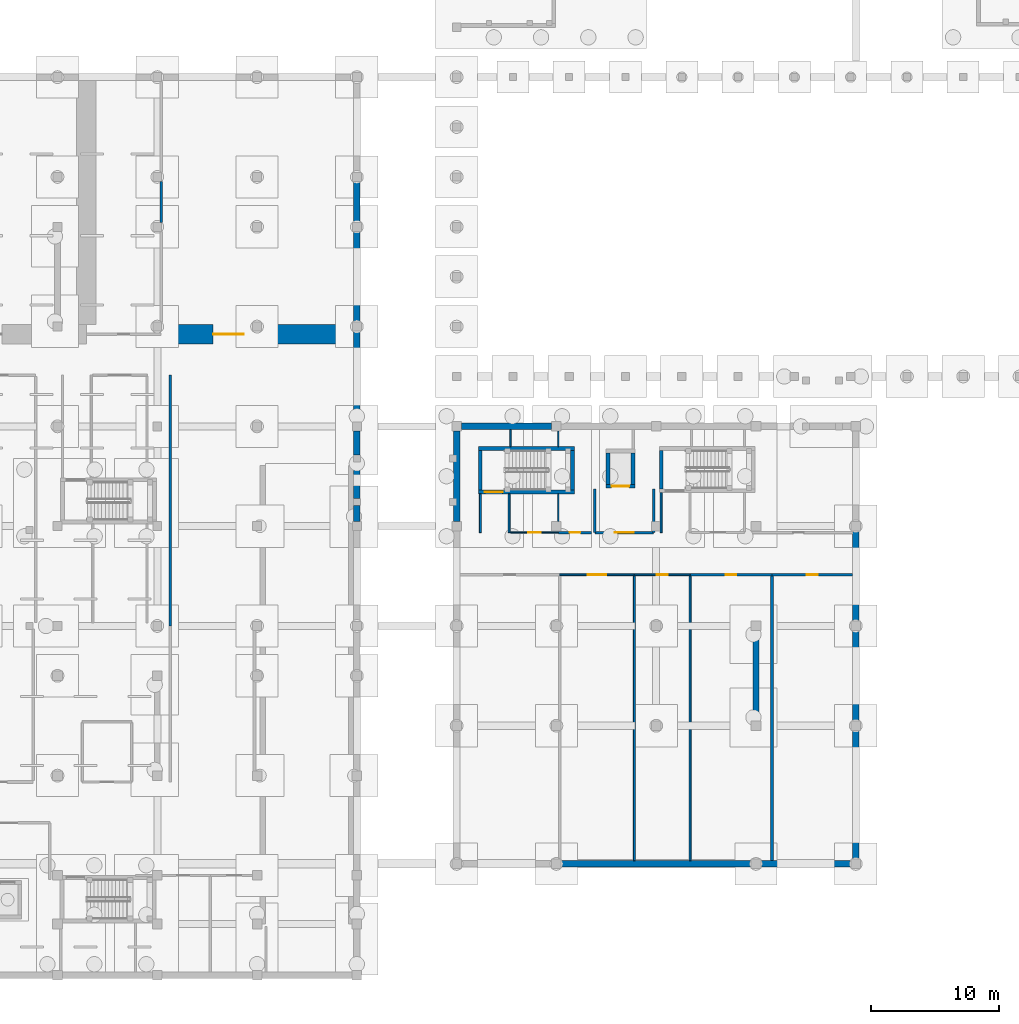
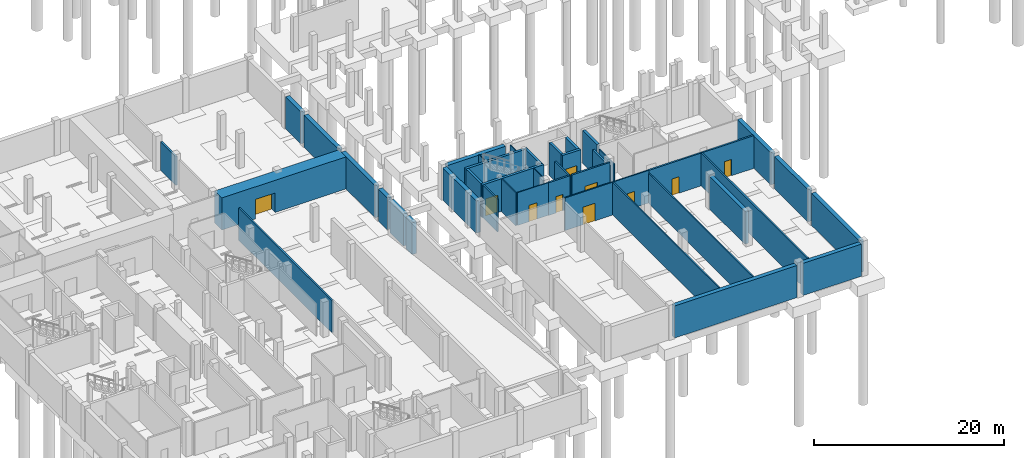
# One storey, part 13 of 24: 43 walls, 10 doors, 10 openings.
"""IFC4 building model written with IfcOpenShell, lengths in metres."""

from ifc_helpers import new_model, si_unit, direction, frame, frame_2d, origin, place, context, subcontext, project, spatial, rectangle, extrude, material, layer, layer_set, type_object, element, fill, save


model = new_model("IFC4")

# Units and contexts
model_context = context("Model", 3, precision=1e-05, world=origin(), true_north=direction((0.0, 1.0)))
body_context = subcontext(model_context, "Body", "Model", "MODEL_VIEW")
ifc_project = project(units=[si_unit("LENGTHUNIT", "METRE"), si_unit("AREAUNIT", "SQUARE_METRE"), si_unit("VOLUMEUNIT", "CUBIC_METRE"), si_unit("PLANEANGLEUNIT", "RADIAN"), si_unit("MASSUNIT", "GRAM", prefix="KILO")], contexts=[model_context])

# Site, building, storey
site_placement = place(None, origin())
site = spatial("IfcSite", under=ifc_project, at=site_placement, CompositionType="ELEMENT")
building_placement = place(site_placement, origin())
building = spatial("IfcBuilding", under=site, at=building_placement, Name="Celorna Specialist Clinic", CompositionType="ELEMENT")
storey_placement = place(building_placement, frame((0.0, 0.0, -4.5)))
storey = spatial("IfcBuildingStorey", under=building, at=storey_placement, Name="B01", CompositionType="ELEMENT", Elevation=-4.5)

# Wall, opening, door
ifc_material_1 = material(Name="Concrete C40/50", Category="concrete")
ifc_layer_1 = layer(ifc_material_1, 1.5, Name="Concrete C40/50")
ifc_layer_set_1 = layer_set([ifc_layer_1], Name="Concrete C40/50")
wall_type_1 = type_object("IfcWallType", Name="WT-01", PredefinedType="SOLIDWALL", material=ifc_layer_set_1)
wall_1_placement = place(storey_placement, frame((31.5, 50.10009765625, 0.0), z_axis=(0.0, 0.0, 1.0), x_axis=(1.0, 0.0, 0.0)))
wall_1 = element("IfcWall", 1, at=wall_1_placement, inside=storey, type_object=wall_type_1, Name="Interior partition WT-01 B01-018", PredefinedType="SOLIDWALL", context=body_context, shape_type="SweptSolid", body=[
    extrude(rectangle(XDim=15.050048828125, YDim=1.5, at=frame_2d((7.52490234375, 0.0))), origin(), (0.0, 0.0, 1.0), 4.1201171875),
])
opening_1_placement = place(wall_1_placement, frame((4.0673828125, 0.0, 0.0)))
opening_1 = element("IfcOpeningElement", 2, at=opening_1_placement, cuts=wall_1, Name="Opening DR-19", PredefinedType="OPENING", context=body_context, shape_type="SweptSolid", body=[
    extrude(rectangle(XDim=2.39990234375, YDim=2.5, at=frame_2d((1.199951171875, 1.25))), frame((0.0, 0.760009765625, 0.0), z_axis=(0.0, -1.0, 0.0), x_axis=(1.0, 0.0, 0.0)), (0.0, 0.0, 1.0), 1.52001953125),
])
ifc_material_2 = material(Name="Motorized radiation bunker sliding door")
door_type_1 = type_object("IfcDoorType", Name="DR-19", OperationType="SLIDING_TO_LEFT", PredefinedType="DOOR", material=ifc_material_2)
door_1_placement = place(opening_1_placement, origin())
door_1 = element("IfcDoor", 3, at=door_1_placement, inside=storey, type_object=door_type_1, Name="Linear Accelerator Radiotherapy Bunker door B01-018", OperationType="SLIDING_TO_LEFT", OverallHeight=2.5, OverallWidth=2.39990234375, PredefinedType="DOOR", context=body_context, shape_type="SweptSolid", body=[
    extrude(rectangle(XDim=2.39990234375, YDim=2.5, at=frame_2d((1.199951171875, 1.25))), frame((0.0, 0.02490234375, 0.0), z_axis=(0.0, -1.0, 0.0), x_axis=(1.0, 0.0, 0.0)), (0.0, 0.0, 1.0), 0.050048828125),
])
fill(opening_1, door_1)

# Walls
ifc_material_3 = material(Name="Concrete C35/45", Category="concrete")
ifc_layer_2 = layer(ifc_material_3, 0.5, Name="Concrete C35/45")
ifc_layer_set_2 = layer_set([ifc_layer_2], Name="Concrete C35/45")
wall_type_2 = type_object("IfcWallType", Name="WT-03", PredefinedType="SOLIDWALL", material=ifc_layer_set_2)
wall_2_placement = place(storey_placement, frame((46.800048828125, 62.050048828125, 0.0), z_axis=(0.0, 0.0, 1.0), x_axis=(0.0, -1.0, 0.0)))
element("IfcWall", 4, at=wall_2_placement, inside=storey, type_object=wall_type_2, Name="External facade wall WT-03 #14", PredefinedType="SOLIDWALL", context=body_context, shape_type="SweptSolid", body=[
    extrude(rectangle(XDim=3.199951171875, YDim=0.5, at=frame_2d((1.60009765625, 0.0))), origin(), (0.0, 0.0, 1.0), 4.1201171875),
])
wall_3_placement = place(storey_placement, frame((46.800048828125, 58.14990234375, 0.0), z_axis=(0.0, 0.0, 1.0), x_axis=(0.0, -1.0, 0.0)))
element("IfcWall", 5, at=wall_3_placement, inside=storey, type_object=wall_type_2, Name="External facade wall WT-03 #15", PredefinedType="SOLIDWALL", context=body_context, shape_type="SweptSolid", body=[
    extrude(rectangle(XDim=7.099853515625, YDim=0.5, at=frame_2d((3.5498046875, 0.0))), origin(), (0.0, 0.0, 1.0), 4.1201171875),
])
wall_4_placement = place(storey_placement, frame((46.800048828125, 50.35009765625, 0.0), z_axis=(0.0, 0.0, 1.0), x_axis=(0.0, -1.0, 0.0)))
element("IfcWall", 6, at=wall_4_placement, inside=storey, type_object=wall_type_2, Name="External facade wall WT-03 #16", PredefinedType="SOLIDWALL", context=body_context, shape_type="SweptSolid", body=[
    extrude(rectangle(XDim=7.10009765625, YDim=0.5, at=frame_2d((3.550048828125, 0.0))), origin(), (0.0, 0.0, 1.0), 4.1201171875),
])
wall_5_placement = place(storey_placement, frame((46.800048828125, 42.550048828125, 0.0), z_axis=(0.0, 0.0, 1.0), x_axis=(0.0, -1.0, 0.0)))
element("IfcWall", 7, at=wall_5_placement, inside=storey, type_object=wall_type_2, Name="External facade wall WT-03 #17", PredefinedType="SOLIDWALL", context=body_context, shape_type="SweptSolid", body=[
    extrude(rectangle(XDim=1.875, YDim=0.5, at=frame_2d((0.9375, 0.0))), origin(), (0.0, 0.0, 1.0), 4.1201171875),
])
wall_6_placement = place(storey_placement, frame((46.800048828125, 40.125, 0.0), z_axis=(0.0, 0.0, 1.0), x_axis=(0.0, -1.0, 0.0)))
element("IfcWall", 8, at=wall_6_placement, inside=storey, type_object=wall_type_2, Name="External facade wall WT-03 #18", PredefinedType="SOLIDWALL", context=body_context, shape_type="SweptSolid", body=[
    extrude(rectangle(XDim=2.85009765625, YDim=0.5, at=frame_2d((1.425048828125, 0.0))), origin(), (0.0, 0.0, 1.0), 4.1201171875),
])
wall_7_placement = place(storey_placement, frame((46.800048828125, 36.72509765625, 0.0), z_axis=(0.0, 0.0, 1.0), x_axis=(0.0, -1.0, 0.0)))
element("IfcWall", 9, at=wall_7_placement, inside=storey, type_object=wall_type_2, Name="External facade wall WT-03 #19", PredefinedType="SOLIDWALL", context=body_context, shape_type="SweptSolid", body=[
    extrude(rectangle(XDim=1.275146484375, YDim=0.5, at=frame_2d((0.6376953125, 0.0))), origin(), (0.0, 0.0, 1.0), 4.1201171875),
])
wall_8_placement = place(storey_placement, frame((54.97509765625, 42.89990234375, 0.0), z_axis=(0.0, 0.0, 1.0), x_axis=(1.0, 0.0, 0.0)))
element("IfcWall", 10, at=wall_8_placement, inside=storey, type_object=wall_type_2, Name="External facade wall WT-03 #37", PredefinedType="SOLIDWALL", context=body_context, shape_type="SweptSolid", body=[
    extrude(rectangle(XDim=7.0498046875, YDim=0.5, at=frame_2d((3.52490234375, 0.0))), origin(), (0.0, 0.0, 1.0), 4.1201171875),
])
for number, where, z_axis, x_axis, name in (
    (11, (85.800048828125, 34.72509765625, 0.0), (0.0, 0.0, 1.0), (0.0, -1.0, 0.0), "External facade wall WT-03 #44"),
    (12, (85.800048828125, 26.925048828125, 0.0), (0.0, 0.0, 1.0), (0.0, -1.0, 0.0), "External facade wall WT-03 #45"),
):
    element("IfcWall", number, at=place(storey_placement, frame(where, z_axis=z_axis, x_axis=x_axis)), inside=storey, type_object=wall_type_2, Name=name, PredefinedType="SOLIDWALL", context=body_context, shape_type="SweptSolid", body=[
        extrude(rectangle(XDim=7.050048828125, YDim=0.5, at=frame_2d((3.52490234375, 0.0))), origin(), (0.0, 0.0, 1.0), 4.1201171875),
    ])
wall_9_placement = place(storey_placement, frame((85.800048828125, 19.125, 0.0), z_axis=(0.0, 0.0, 1.0), x_axis=(0.0, -1.0, 0.0)))
element("IfcWall", 13, at=wall_9_placement, inside=storey, type_object=wall_type_2, Name="External facade wall WT-03 #46", PredefinedType="SOLIDWALL", context=body_context, shape_type="SweptSolid", body=[
    extrude(rectangle(XDim=10.050048828125, YDim=0.5, at=frame_2d((5.02490234375, 0.0))), origin(), (0.0, 0.0, 1.0), 4.1201171875),
])
wall_10_placement = place(storey_placement, frame((85.425048828125, 8.699951171875, 0.0), z_axis=(0.0, 0.0, 1.0), x_axis=(-1.0, 0.0, 0.0)))
element("IfcWall", 14, at=wall_10_placement, inside=storey, type_object=wall_type_2, Name="External facade wall WT-03 #47", PredefinedType="SOLIDWALL", context=body_context, shape_type="SweptSolid", body=[
    extrude(rectangle(XDim=7.050048828125, YDim=0.5, at=frame_2d((3.52490234375, 0.0))), origin(), (0.0, 0.0, 1.0), 4.1201171875),
])
wall_11_placement = place(storey_placement, frame((77.625, 8.699951171875, 0.0), z_axis=(0.0, 0.0, 1.0), x_axis=(-1.0, 0.0, 0.0)))
element("IfcWall", 15, at=wall_11_placement, inside=storey, type_object=wall_type_2, Name="External facade wall WT-03 #48", PredefinedType="SOLIDWALL", context=body_context, shape_type="SweptSolid", body=[
    extrude(rectangle(XDim=14.85009765625, YDim=0.5, at=frame_2d((7.425048828125, 0.0))), origin(), (0.0, 0.0, 1.0), 4.1201171875),
])
wall_12_placement = place(storey_placement, frame((54.60009765625, 35.47509765625, 0.0), z_axis=(0.0, 0.0, 1.0), x_axis=(0.0, 1.0, 0.0)))
element("IfcWall", 16, at=wall_12_placement, inside=storey, type_object=wall_type_2, Name="External facade wall WT-03 #53", PredefinedType="SOLIDWALL", context=body_context, shape_type="SweptSolid", body=[
    extrude(rectangle(XDim=7.0498046875, YDim=0.5, at=frame_2d((3.52490234375, 0.0))), origin(), (0.0, 0.0, 1.0), 4.1201171875),
])
ifc_layer_3 = layer(ifc_material_1, 0.449951171875, Name="Concrete C40/50")
ifc_layer_set_3 = layer_set([ifc_layer_3], Name="Concrete C40/50")
wall_type_3 = type_object("IfcWallType", Name="WT-04", PredefinedType="SHEAR", material=ifc_layer_set_3)
wall_13_placement = place(storey_placement, frame((78.0, 19.64990234375, 0.0), z_axis=(0.0, 0.0, 1.0), x_axis=(0.0, 1.0, 0.0)))
element("IfcWall", 17, at=wall_13_placement, inside=storey, type_object=wall_type_3, Name="Structural RC shear wall WT-04 V6 B01", PredefinedType="SHEAR", context=body_context, shape_type="SweptSolid", body=[
    extrude(rectangle(XDim=7.5, YDim=0.449951171875, at=frame_2d((3.75, 0.0))), origin(), (0.0, 0.0, 1.0), 4.199951171875),
])

# Wall, opening, door
ifc_layer_4 = layer(ifc_material_3, 0.300048828125, Name="Concrete C35/45")
ifc_layer_set_4 = layer_set([ifc_layer_4], Name="Concrete C35/45")
wall_type_4 = type_object("IfcWallType", Name="WT-08", PredefinedType="SHEAR", material=ifc_layer_set_4)
wall_14_placement = place(storey_placement, frame((56.300048828125, 37.77001953125, 0.0), z_axis=(0.0, 0.0, 1.0), x_axis=(1.0, 0.0, 0.0)))
wall_14 = element("IfcWall", 18, at=wall_14_placement, inside=storey, type_object=wall_type_4, Name="Stair ST-08 RC core wall B01 south", PredefinedType="SHEAR", context=body_context, shape_type="SweptSolid", body=[
    extrude(rectangle(XDim=7.5, YDim=0.300048828125, at=frame_2d((3.75, 0.0))), origin(), (0.0, 0.0, 1.0), 4.199951171875),
])
opening_2_placement = place(wall_14_placement, frame((0.5, 0.0, 0.0)))
opening_2 = element("IfcOpeningElement", 19, at=opening_2_placement, cuts=wall_14, Name="Opening DR-10", PredefinedType="OPENING", context=body_context, shape_type="SweptSolid", body=[
    extrude(rectangle(XDim=1.39990234375, YDim=2.199951171875, at=frame_2d((0.699951171875, 1.10009765625))), frame((0.0, 0.159912109375, 0.0), z_axis=(0.0, -1.0, 0.0), x_axis=(1.0, 0.0, 0.0)), (0.0, 0.0, 1.0), 0.320068359375),
])
ifc_material_4 = material(Name="Protected exit stair fire door")
door_type_2 = type_object("IfcDoorType", Name="DR-10", OperationType="NOTDEFINED", PredefinedType="DOOR", material=ifc_material_4)
door_2_placement = place(opening_2_placement, origin())
door_2 = element("IfcDoor", 20, at=door_2_placement, inside=storey, type_object=door_type_2, Name="Protected exit stair door ST-08 B01", OperationType="SINGLE_SWING_RIGHT", OverallHeight=2.199951171875, OverallWidth=1.39990234375, PredefinedType="DOOR", context=body_context, shape_type="SweptSolid", body=[
    extrude(rectangle(XDim=1.39990234375, YDim=2.199951171875, at=frame_2d((0.699951171875, 1.10009765625))), frame((0.0, 0.02490234375, 0.0), z_axis=(0.0, -1.0, 0.0), x_axis=(1.0, 0.0, 0.0)), (0.0, 0.0, 1.0), 0.050048828125),
])
fill(opening_2, door_2)

# Walls
wall_15_placement = place(storey_placement, frame((63.800048828125, 41.169921875, 0.0), z_axis=(0.0, 0.0, 1.0), x_axis=(-1.0, 0.0, 0.0)))
element("IfcWall", 21, at=wall_15_placement, inside=storey, type_object=wall_type_4, Name="Stair ST-08 RC core wall B01 north", PredefinedType="SHEAR", context=body_context, shape_type="SweptSolid", body=[
    extrude(rectangle(XDim=7.5, YDim=0.300048828125, at=frame_2d((3.75, 0.0))), origin(), (0.0, 0.0, 1.0), 4.199951171875),
])
for number, where, z_axis, x_axis, name in (
    (22, (56.449951171875, 41.02001953125, 0.0), (0.0, 0.0, 1.0), (0.0, -1.0, 0.0), "Stair ST-08 RC core wall B01 west"),
    (23, (63.64990234375, 37.919921875, 0.0), (0.0, 0.0, 1.0), (0.0, 1.0, 0.0), "Stair ST-08 RC core wall B01 east"),
):
    element("IfcWall", number, at=place(storey_placement, frame(where, z_axis=z_axis, x_axis=x_axis)), inside=storey, type_object=wall_type_4, Name=name, PredefinedType="SHEAR", context=body_context, shape_type="SweptSolid", body=[
        extrude(rectangle(XDim=3.10009765625, YDim=0.300048828125, at=frame_2d((1.550048828125, 0.0))), origin(), (0.0, 0.0, 1.0), 4.199951171875),
    ])
wall_16_placement = place(storey_placement, frame((70.590087890625, 41.02001953125, 0.0), z_axis=(0.0, 0.0, 1.0), x_axis=(0.0, -1.0, 0.0)))
element("IfcWall", 24, at=wall_16_placement, inside=storey, type_object=wall_type_4, Name="Stair ST-09 RC core wall B01 west", PredefinedType="SHEAR", context=body_context, shape_type="SweptSolid", body=[
    extrude(rectangle(XDim=3.0, YDim=0.300048828125, at=frame_2d((1.5, 0.0))), origin(), (0.0, 0.0, 1.0), 4.199951171875),
])

# Wall, opening, door
wall_17_placement = place(storey_placement, frame((66.27490234375, 38.22509765625, 0.0), z_axis=(0.0, 0.0, 1.0), x_axis=(1.0, 0.0, 0.0)))
wall_17 = element("IfcWall", 25, at=wall_17_placement, inside=storey, type_object=wall_type_4, Name="Lift LF-07 RC shaft wall B01", PredefinedType="SHEAR", context=body_context, shape_type="SweptSolid", body=[
    extrude(rectangle(XDim=2.25, YDim=0.300048828125, at=frame_2d((1.125, 0.0))), origin(), (0.0, 0.0, 1.0), 4.199951171875),
])
opening_3_placement = place(wall_17_placement, frame((0.449951171875, 0.0, 0.0)))
opening_3 = element("IfcOpeningElement", 26, at=opening_3_placement, cuts=wall_17, Name="Opening LD-02", PredefinedType="OPENING", context=body_context, shape_type="SweptSolid", body=[
    extrude(rectangle(XDim=1.35009765625, YDim=2.300048828125, at=frame_2d((0.675048828125, 1.14990234375))), frame((0.0, 0.159912109375, 0.0), z_axis=(0.0, -1.0, 0.0), x_axis=(1.0, 0.0, 0.0)), (0.0, 0.0, 1.0), 0.320068359375),
])
ifc_material_5 = material(Name="Firefighting stretcher lift landing sliding door")
door_type_3 = type_object("IfcDoorType", Name="LD-02", OperationType="DOUBLE_DOOR_SLIDING", PredefinedType="DOOR", material=ifc_material_5)
door_3_placement = place(opening_3_placement, origin())
door_3 = element("IfcDoor", 27, at=door_3_placement, inside=storey, type_object=door_type_3, Name="Lift LF-07 sliding landing door B01", OperationType="DOUBLE_DOOR_SLIDING", OverallHeight=2.300048828125, OverallWidth=1.35009765625, PredefinedType="DOOR", context=body_context, shape_type="SweptSolid", body=[
    extrude(rectangle(XDim=1.35009765625, YDim=2.300048828125, at=frame_2d((0.675048828125, 1.14990234375))), frame((0.0, 0.02490234375, 0.0), z_axis=(0.0, -1.0, 0.0), x_axis=(1.0, 0.0, 0.0)), (0.0, 0.0, 1.0), 0.050048828125),
])
fill(opening_3, door_3)

# Walls
for number, where, z_axis, x_axis, name in (
    (28, (66.425048828125, 40.824951171875, 0.0), (0.0, 0.0, 1.0), (0.0, -1.0, 0.0), "Lift LF-07 RC shaft wall B01"),
    (29, (68.375, 38.375, 0.0), (0.0, 0.0, 1.0), (0.0, 1.0, 0.0), "Lift LF-07 RC shaft wall B01"),
):
    element("IfcWall", number, at=place(storey_placement, frame(where, z_axis=z_axis, x_axis=x_axis)), inside=storey, type_object=wall_type_4, Name=name, PredefinedType="SHEAR", context=body_context, shape_type="SweptSolid", body=[
        extrude(rectangle(XDim=2.449951171875, YDim=0.300048828125, at=frame_2d((1.22509765625, 0.0))), origin(), (0.0, 0.0, 1.0), 4.199951171875),
    ])

# Wall, opening, door
ifc_layer_5 = layer(ifc_material_3, 0.199951171875, Name="Concrete C35/45")
ifc_layer_set_5 = layer_set([ifc_layer_5], Name="Concrete C35/45")
wall_type_5 = type_object("IfcWallType", Name="WT-12", PredefinedType="SOLIDWALL", material=ifc_layer_set_5)
wall_18_placement = place(storey_placement, frame((65.39990234375, 34.60009765625, 0.0), z_axis=(0.0, 0.0, 1.0), x_axis=(1.0, 0.0, 0.0)))
wall_18 = element("IfcWall", 30, at=wall_18_placement, inside=storey, type_object=wall_type_5, Name="Firefighting lobby wall LF-07 B01", PredefinedType="SOLIDWALL", context=body_context, shape_type="SweptSolid", body=[
    extrude(rectangle(XDim=4.60009765625, YDim=0.199951171875, at=frame_2d((2.300048828125, 0.0))), origin(), (0.0, 0.0, 1.0), 4.199951171875),
])
opening_4_placement = place(wall_18_placement, frame((1.550048828125, 0.0, 0.0)))
opening_4 = element("IfcOpeningElement", 31, at=opening_4_placement, cuts=wall_18, Name="Opening DR-11", PredefinedType="OPENING", context=body_context, shape_type="SweptSolid", body=[
    extrude(rectangle(XDim=1.5, YDim=2.199951171875, at=frame_2d((0.75, 1.10009765625))), frame((0.0, 0.10986328125, 0.0), z_axis=(0.0, -1.0, 0.0), x_axis=(1.0, 0.0, 0.0)), (0.0, 0.0, 1.0), 0.219970703125),
])
ifc_material_6 = material(Name="Firefighting lobby double fire door")
door_type_4 = type_object("IfcDoorType", Name="DR-11", OperationType="DOUBLE_DOOR_SINGLE_SWING", PredefinedType="DOOR", material=ifc_material_6)
door_4_placement = place(opening_4_placement, origin())
door_4 = element("IfcDoor", 32, at=door_4_placement, inside=storey, type_object=door_type_4, Name="Firefighting lobby fire door LF-07 B01", OperationType="DOUBLE_DOOR_SINGLE_SWING", OverallHeight=2.199951171875, OverallWidth=1.5, PredefinedType="DOOR", context=body_context, shape_type="SweptSolid", body=[
    extrude(rectangle(XDim=1.5, YDim=2.199951171875, at=frame_2d((0.75, 1.10009765625))), frame((0.0, 0.02490234375, 0.0), z_axis=(0.0, -1.0, 0.0), x_axis=(1.0, 0.0, 0.0)), (0.0, 0.0, 1.0), 0.050048828125),
])
fill(opening_4, door_4)

# Walls
wall_19_placement = place(storey_placement, frame((65.39990234375, 38.0, 0.0), z_axis=(0.0, 0.0, 1.0), x_axis=(0.0, -1.0, 0.0)))
element("IfcWall", 33, at=wall_19_placement, inside=storey, type_object=wall_type_5, Name="Firefighting lobby wall LF-07 B01", PredefinedType="SOLIDWALL", context=body_context, shape_type="SweptSolid", body=[
    extrude(rectangle(XDim=3.39990234375, YDim=0.199951171875, at=frame_2d((1.699951171875, 0.0))), origin(), (0.0, 0.0, 1.0), 3.840087890625),
])
wall_20_placement = place(storey_placement, frame((70.0, 34.60009765625, 0.0), z_axis=(0.0, 0.0, 1.0), x_axis=(0.0, 1.0, 0.0)))
element("IfcWall", 34, at=wall_20_placement, inside=storey, type_object=wall_type_5, Name="Firefighting lobby wall LF-07 B01", PredefinedType="SOLIDWALL", context=body_context, shape_type="SweptSolid", body=[
    extrude(rectangle(XDim=3.39990234375, YDim=0.199951171875, at=frame_2d((1.699951171875, 0.0))), origin(), (0.0, 0.0, 1.0), 3.75),
])
wall_21_placement = place(storey_placement, frame((32.199951171875, 27.300048828125, 0.0), z_axis=(0.0, 0.0, 1.0), x_axis=(0.0, 1.0, 0.0)))
element("IfcWall", 35, at=wall_21_placement, inside=storey, type_object=wall_type_5, Name="Corridor spur partition WT-12", PredefinedType="SOLIDWALL", context=body_context, shape_type="SweptSolid", body=[
    extrude(rectangle(XDim=19.599853515625, YDim=0.199951171875, at=frame_2d((9.7998046875, 0.0))), origin(), (0.0, 0.0, 1.0), 4.1201171875),
])

# Wall, opening, door
wall_22_placement = place(storey_placement, frame((79.25, 31.300048828125, 0.0), z_axis=(0.0, 0.0, 1.0), x_axis=(-1.0, 0.0, 0.0)))
wall_22 = element("IfcWall", 36, at=wall_22_placement, inside=storey, type_object=wall_type_5, Name="Interior partition WT-12 B01-049", PredefinedType="SOLIDWALL", context=body_context, shape_type="SweptSolid", body=[
    extrude(rectangle(XDim=6.39990234375, YDim=0.199951171875, at=frame_2d((3.199951171875, 0.0))), origin(), (0.0, 0.0, 1.0), 4.199951171875),
])
opening_5_placement = place(wall_22_placement, frame((2.77490234375, 0.0, 0.0)))
opening_5 = element("IfcOpeningElement", 37, at=opening_5_placement, cuts=wall_22, Name="Opening DR-01", PredefinedType="OPENING", context=body_context, shape_type="SweptSolid", body=[
    extrude(rectangle(XDim=0.85009765625, YDim=2.10009765625, at=frame_2d((0.425048828125, 1.050048828125))), frame((0.0, 0.10986328125, 0.0), z_axis=(0.0, -1.0, 0.0), x_axis=(1.0, 0.0, 0.0)), (0.0, 0.0, 1.0), 0.219970703125),
])
ifc_material_7 = material(Name="Powder-coated steel door", Category="steel")
door_type_5 = type_object("IfcDoorType", Name="DR-01", OperationType="NOTDEFINED", PredefinedType="DOOR", material=ifc_material_7)
door_5_placement = place(opening_5_placement, origin())
door_5 = element("IfcDoor", 38, at=door_5_placement, inside=storey, type_object=door_type_5, Name="Sprinkler Tank and Fire Pump Plant Room door B01-049", OperationType="SINGLE_SWING_RIGHT", OverallHeight=2.10009765625, OverallWidth=0.85009765625, PredefinedType="DOOR", context=body_context, shape_type="SweptSolid", body=[
    extrude(rectangle(XDim=0.85009765625, YDim=2.10009765625, at=frame_2d((0.425048828125, 1.050048828125))), frame((0.0, 0.02490234375, 0.0), z_axis=(0.0, -1.0, 0.0), x_axis=(1.0, 0.0, 0.0)), (0.0, 0.0, 1.0), 0.050048828125),
])
fill(opening_5, door_5)

wall_23_placement = place(storey_placement, frame((85.550048828125, 31.300048828125, 0.0), z_axis=(0.0, 0.0, 1.0), x_axis=(-1.0, 0.0, 0.0)))
wall_23 = element("IfcWall", 39, at=wall_23_placement, inside=storey, type_object=wall_type_5, Name="Interior partition WT-12 B01-050", PredefinedType="SOLIDWALL", context=body_context, shape_type="SweptSolid", body=[
    extrude(rectangle(XDim=6.300048828125, YDim=0.199951171875, at=frame_2d((3.14990234375, 0.0))), origin(), (0.0, 0.0, 1.0), 4.199951171875),
])
opening_6_placement = place(wall_23_placement, frame((2.72509765625, 0.0, 0.0)))
opening_6 = element("IfcOpeningElement", 40, at=opening_6_placement, cuts=wall_23, Name="Opening DR-01", PredefinedType="OPENING", context=body_context, shape_type="SweptSolid", body=[
    extrude(rectangle(XDim=0.85009765625, YDim=2.10009765625, at=frame_2d((0.425048828125, 1.050048828125))), frame((0.0, 0.10986328125, 0.0), z_axis=(0.0, -1.0, 0.0), x_axis=(1.0, 0.0, 0.0)), (0.0, 0.0, 1.0), 0.219970703125),
])
door_6_placement = place(opening_6_placement, origin())
door_6 = element("IfcDoor", 41, at=door_6_placement, inside=storey, type_object=door_type_5, Name="Medical Records Archive Store door B01-050", OperationType="SINGLE_SWING_LEFT", OverallHeight=2.10009765625, OverallWidth=0.85009765625, PredefinedType="DOOR", context=body_context, shape_type="SweptSolid", body=[
    extrude(rectangle(XDim=0.85009765625, YDim=2.10009765625, at=frame_2d((0.425048828125, 1.050048828125))), frame((0.0, 0.02490234375, 0.0), z_axis=(0.0, -1.0, 0.0), x_axis=(1.0, 0.0, 0.0)), (0.0, 0.0, 1.0), 0.050048828125),
])
fill(opening_6, door_6)

wall_24_placement = place(storey_placement, frame((62.550048828125, 34.60009765625, 0.0), z_axis=(0.0, 0.0, 1.0), x_axis=(1.0, 0.0, 0.0)))
wall_24 = element("IfcWall", 42, at=wall_24_placement, inside=storey, type_object=wall_type_5, Name="Interior partition WT-12 B01-052", PredefinedType="SOLIDWALL", context=body_context, shape_type="SweptSolid", body=[
    extrude(rectangle(XDim=2.599853515625, YDim=0.199951171875, at=frame_2d((1.2998046875, 0.0))), origin(), (0.0, 0.0, 1.0), 4.199951171875),
])
opening_7_placement = place(wall_24_placement, frame((0.875, 0.0, 0.0)))
opening_7 = element("IfcOpeningElement", 43, at=opening_7_placement, cuts=wall_24, Name="Opening DR-01", PredefinedType="OPENING", context=body_context, shape_type="SweptSolid", body=[
    extrude(rectangle(XDim=0.85009765625, YDim=2.10009765625, at=frame_2d((0.425048828125, 1.050048828125))), frame((0.0, 0.10986328125, 0.0), z_axis=(0.0, -1.0, 0.0), x_axis=(1.0, 0.0, 0.0)), (0.0, 0.0, 1.0), 0.219970703125),
])
door_7_placement = place(opening_7_placement, origin())
door_7 = element("IfcDoor", 44, at=door_7_placement, inside=storey, type_object=door_type_5, Name="Medical Records Archive Store door B01-052", OperationType="SINGLE_SWING_LEFT", OverallHeight=2.10009765625, OverallWidth=0.85009765625, PredefinedType="DOOR", context=body_context, shape_type="SweptSolid", body=[
    extrude(rectangle(XDim=0.85009765625, YDim=2.10009765625, at=frame_2d((0.425048828125, 1.050048828125))), frame((0.0, 0.02490234375, 0.0), z_axis=(0.0, -1.0, 0.0), x_axis=(1.0, 0.0, 0.0)), (0.0, 0.0, 1.0), 0.050048828125),
])
fill(opening_7, door_7)

# Walls
wall_25_placement = place(storey_placement, frame((31.5, 58.85009765625, 0.0), z_axis=(0.0, 0.0, 1.0), x_axis=(0.0, 1.0, 0.0)))
element("IfcWall", 45, at=wall_25_placement, inside=storey, type_object=wall_type_5, Name="Room dividing partition WT-12 B01-017", PredefinedType="SOLIDWALL", context=body_context, shape_type="SweptSolid", body=[
    extrude(rectangle(XDim=3.199951171875, YDim=0.199951171875, at=frame_2d((1.60009765625, 0.0))), origin(), (0.0, 0.0, 1.0), 3.669921875),
])
wall_26_placement = place(storey_placement, frame((79.25, 8.949951171875, 0.0), z_axis=(0.0, 0.0, 1.0), x_axis=(0.0, 1.0, 0.0)))
element("IfcWall", 46, at=wall_26_placement, inside=storey, type_object=wall_type_5, Name="Room dividing partition WT-12 B01-049", PredefinedType="SOLIDWALL", context=body_context, shape_type="SweptSolid", body=[
    extrude(rectangle(XDim=22.25, YDim=0.199951171875, at=frame_2d((11.125, 0.0))), origin(), (0.0, 0.0, 1.0), 4.199951171875),
])
ifc_material_8 = material(Name="Fire-rated gypsum board partition")
ifc_layer_6 = layer(ifc_material_8, 0.14990234375, Name="Fire-rated gypsum board partition")
ifc_layer_set_6 = layer_set([ifc_layer_6], Name="Fire-rated gypsum board partition")
wall_type_6 = type_object("IfcWallType", Name="WT-14", PredefinedType="PARTITIONING", material=ifc_layer_set_6)
for number, where, z_axis, x_axis, name in (
    (47, (56.449951171875, 34.60009765625, 0.0), (0.0, 0.0, 1.0), (0.0, 1.0, 0.0), "Corridor spur partition WT-14"),
    (48, (58.699951171875, 34.60009765625, 0.0), (0.0, 0.0, 1.0), (0.0, 1.0, 0.0), "Corridor spur partition WT-14"),
):
    element("IfcWall", number, at=place(storey_placement, frame(where, z_axis=z_axis, x_axis=x_axis)), inside=storey, type_object=wall_type_6, Name=name, PredefinedType="PARTITIONING", context=body_context, shape_type="SweptSolid", body=[
        extrude(rectangle(XDim=3.02001953125, YDim=0.14990234375, at=frame_2d((1.510009765625, 0.0))), origin(), (0.0, 0.0, 1.0), 4.199951171875),
    ])
wall_27_placement = place(storey_placement, frame((70.590087890625, 34.60009765625, 0.0), z_axis=(0.0, 0.0, 1.0), x_axis=(0.0, 1.0, 0.0)))
element("IfcWall", 49, at=wall_27_placement, inside=storey, type_object=wall_type_6, Name="Corridor spur partition WT-14", PredefinedType="PARTITIONING", context=body_context, shape_type="SweptSolid", body=[
    extrude(rectangle(XDim=3.119873046875, YDim=0.14990234375, at=frame_2d((1.56005859375, 0.0))), origin(), (0.0, 0.0, 1.0), 3.75),
])

# Wall, opening, door
wall_28_placement = place(storey_placement, frame((68.5, 31.300048828125, 0.0), z_axis=(0.0, 0.0, 1.0), x_axis=(-1.0, 0.0, 0.0)))
wall_28 = element("IfcWall", 50, at=wall_28_placement, inside=storey, type_object=wall_type_6, Name="Interior partition WT-14 B01-047", PredefinedType="PARTITIONING", context=body_context, shape_type="SweptSolid", body=[
    extrude(rectangle(XDim=5.85009765625, YDim=0.14990234375, at=frame_2d((2.925048828125, 0.0))), origin(), (0.0, 0.0, 1.0), 4.199951171875),
])
opening_8_placement = place(wall_28_placement, frame((2.18505859375, 0.0, 0.0)))
opening_8 = element("IfcOpeningElement", 51, at=opening_8_placement, cuts=wall_28, Name="Opening DR-23", PredefinedType="OPENING", context=body_context, shape_type="SweptSolid", body=[
    extrude(rectangle(XDim=1.47998046875, YDim=2.25, at=frame_2d((0.739990234375, 1.125))), frame((0.0, 0.0849609375, 0.0), z_axis=(0.0, -1.0, 0.0), x_axis=(1.0, 0.0, 0.0)), (0.0, 0.0, 1.0), 0.169921875),
])
ifc_material_9 = material(Name="Double leaf treatment room door")
door_type_6 = type_object("IfcDoorType", Name="DR-23", OperationType="DOUBLE_DOOR_SINGLE_SWING", PredefinedType="DOOR", material=ifc_material_9)
door_8_placement = place(opening_8_placement, origin())
door_8 = element("IfcDoor", 52, at=door_8_placement, inside=storey, type_object=door_type_6, Name="Biomedical Engineering Workshop door B01-047", OperationType="DOUBLE_DOOR_SINGLE_SWING", OverallHeight=2.25, OverallWidth=1.47998046875, PredefinedType="DOOR", context=body_context, shape_type="SweptSolid", body=[
    extrude(rectangle(XDim=1.47998046875, YDim=2.25, at=frame_2d((0.739990234375, 1.125))), frame((0.0, 0.02490234375, 0.0), z_axis=(0.0, -1.0, 0.0), x_axis=(1.0, 0.0, 0.0)), (0.0, 0.0, 1.0), 0.050048828125),
])
fill(opening_8, door_8)

wall_29_placement = place(storey_placement, frame((72.85009765625, 31.300048828125, 0.0), z_axis=(0.0, 0.0, 1.0), x_axis=(-1.0, 0.0, 0.0)))
wall_29 = element("IfcWall", 53, at=wall_29_placement, inside=storey, type_object=wall_type_6, Name="Interior partition WT-14 B01-048", PredefinedType="PARTITIONING", context=body_context, shape_type="SweptSolid", body=[
    extrude(rectangle(XDim=4.35009765625, YDim=0.14990234375, at=frame_2d((2.175048828125, 0.0))), origin(), (0.0, 0.0, 1.0), 4.199951171875),
])
opening_9_placement = place(wall_29_placement, frame((1.75, 0.0, 0.0)))
opening_9 = element("IfcOpeningElement", 54, at=opening_9_placement, cuts=wall_29, Name="Opening DR-01", PredefinedType="OPENING", context=body_context, shape_type="SweptSolid", body=[
    extrude(rectangle(XDim=0.85009765625, YDim=2.10009765625, at=frame_2d((0.425048828125, 1.050048828125))), frame((0.0, 0.0849609375, 0.0), z_axis=(0.0, -1.0, 0.0), x_axis=(1.0, 0.0, 0.0)), (0.0, 0.0, 1.0), 0.169921875),
])
door_9_placement = place(opening_9_placement, origin())
door_9 = element("IfcDoor", 55, at=door_9_placement, inside=storey, type_object=door_type_5, Name="Clinical Linen and Supply Store door B01-048", OperationType="SINGLE_SWING_LEFT", OverallHeight=2.10009765625, OverallWidth=0.85009765625, PredefinedType="DOOR", context=body_context, shape_type="SweptSolid", body=[
    extrude(rectangle(XDim=0.85009765625, YDim=2.10009765625, at=frame_2d((0.425048828125, 1.050048828125))), frame((0.0, 0.02490234375, 0.0), z_axis=(0.0, -1.0, 0.0), x_axis=(1.0, 0.0, 0.0)), (0.0, 0.0, 1.0), 0.050048828125),
])
fill(opening_9, door_9)

# Walls
wall_30_placement = place(storey_placement, frame((68.5, 8.949951171875, 0.0), z_axis=(0.0, 0.0, 1.0), x_axis=(0.0, 1.0, 0.0)))
element("IfcWall", 56, at=wall_30_placement, inside=storey, type_object=wall_type_6, Name="Room dividing partition WT-14 B01-047", PredefinedType="PARTITIONING", context=body_context, shape_type="SweptSolid", body=[
    extrude(rectangle(XDim=22.275146484375, YDim=0.14990234375, at=frame_2d((11.1376953125, 0.0))), origin(), (0.0, 0.0, 1.0), 4.199951171875),
])
wall_31_placement = place(storey_placement, frame((72.85009765625, 8.949951171875, 0.0), z_axis=(0.0, 0.0, 1.0), x_axis=(0.0, 1.0, 0.0)))
element("IfcWall", 57, at=wall_31_placement, inside=storey, type_object=wall_type_6, Name="Room dividing partition WT-14 B01-048", PredefinedType="PARTITIONING", context=body_context, shape_type="SweptSolid", body=[
    extrude(rectangle(XDim=22.25, YDim=0.14990234375, at=frame_2d((11.125, 0.0))), origin(), (0.0, 0.0, 1.0), 3.840087890625),
])

# Wall, opening, door
ifc_material_10 = material(Name="Moisture-resistant gypsum partition")
ifc_layer_7 = layer(ifc_material_10, 0.10009765625, Name="Moisture-resistant gypsum partition")
ifc_layer_set_7 = layer_set([ifc_layer_7], Name="Moisture-resistant gypsum partition")
wall_type_7 = type_object("IfcWallType", Name="WT-16", PredefinedType="PARTITIONING", material=ifc_layer_set_7)
wall_32_placement = place(storey_placement, frame((58.820068359375, 34.60009765625, 0.0), z_axis=(0.0, 0.0, 1.0), x_axis=(1.0, 0.0, 0.0)))
wall_32 = element("IfcWall", 58, at=wall_32_placement, inside=storey, type_object=wall_type_7, Name="Interior partition WT-16 B01-051", PredefinedType="PARTITIONING", context=body_context, shape_type="SweptSolid", body=[
    extrude(rectangle(XDim=3.72998046875, YDim=0.10009765625, at=frame_2d((1.864990234375, 0.0))), origin(), (0.0, 0.0, 1.0), 4.199951171875),
])
opening_10_placement = place(wall_32_placement, frame((1.389892578125, 0.0, 0.0)))
opening_10 = element("IfcOpeningElement", 59, at=opening_10_placement, cuts=wall_32, Name="Opening DR-03", PredefinedType="OPENING", context=body_context, shape_type="SweptSolid", body=[
    extrude(rectangle(XDim=0.949951171875, YDim=2.10009765625, at=frame_2d((0.47509765625, 1.050048828125))), frame((0.0, 0.06005859375, 0.0), z_axis=(0.0, -1.0, 0.0), x_axis=(1.0, 0.0, 0.0)), (0.0, 0.0, 1.0), 0.1201171875),
])
ifc_material_11 = material(Name="Moisture-resistant accessible WC door")
door_type_7 = type_object("IfcDoorType", Name="DR-03", OperationType="NOTDEFINED", PredefinedType="DOOR", material=ifc_material_11)
door_10_placement = place(opening_10_placement, origin())
door_10 = element("IfcDoor", 60, at=door_10_placement, inside=storey, type_object=door_type_7, Name="Staff WC door B01-051", OperationType="SINGLE_SWING_RIGHT", OverallHeight=2.10009765625, OverallWidth=0.949951171875, PredefinedType="DOOR", context=body_context, shape_type="SweptSolid", body=[
    extrude(rectangle(XDim=0.949951171875, YDim=2.10009765625, at=frame_2d((0.47509765625, 1.050048828125))), frame((0.0, 0.02490234375, 0.0), z_axis=(0.0, -1.0, 0.0), x_axis=(1.0, 0.0, 0.0)), (0.0, 0.0, 1.0), 0.050048828125),
])
fill(opening_10, door_10)

# Walls
wall_33_placement = place(storey_placement, frame((58.820068359375, 41.320068359375, 0.0), z_axis=(0.0, 0.0, 1.0), x_axis=(0.0, 1.0, 0.0)))
element("IfcWall", 61, at=wall_33_placement, inside=storey, type_object=wall_type_7, Name="Room dividing partition WT-16 B01-051", PredefinedType="PARTITIONING", context=body_context, shape_type="SweptSolid", body=[
    extrude(rectangle(XDim=1.329833984375, YDim=0.10009765625, at=frame_2d((0.6650390625, 0.0))), origin(), (0.0, 0.0, 1.0), 4.199951171875),
])
wall_34_placement = place(storey_placement, frame((62.550048828125, 35.47509765625, 0.0), z_axis=(0.0, 0.0, 1.0), x_axis=(0.0, 1.0, 0.0)))
element("IfcWall", 62, at=wall_34_placement, inside=storey, type_object=wall_type_7, Name="Room dividing partition WT-16 B01-051", PredefinedType="PARTITIONING", context=body_context, shape_type="SweptSolid", body=[
    extrude(rectangle(XDim=2.14501953125, YDim=0.10009765625, at=frame_2d((1.072509765625, 0.0))), origin(), (0.0, 0.0, 1.0), 4.199951171875),
])
wall_35_placement = place(storey_placement, frame((62.550048828125, 41.320068359375, 0.0), z_axis=(0.0, 0.0, 1.0), x_axis=(0.0, 1.0, 0.0)))
element("IfcWall", 63, at=wall_35_placement, inside=storey, type_object=wall_type_7, Name="Room dividing partition WT-16 B01-051", PredefinedType="PARTITIONING", context=body_context, shape_type="SweptSolid", body=[
    extrude(rectangle(XDim=1.204833984375, YDim=0.10009765625, at=frame_2d((0.6025390625, 0.0))), origin(), (0.0, 0.0, 1.0), 4.199951171875),
])

save(model, "model.ifc")
